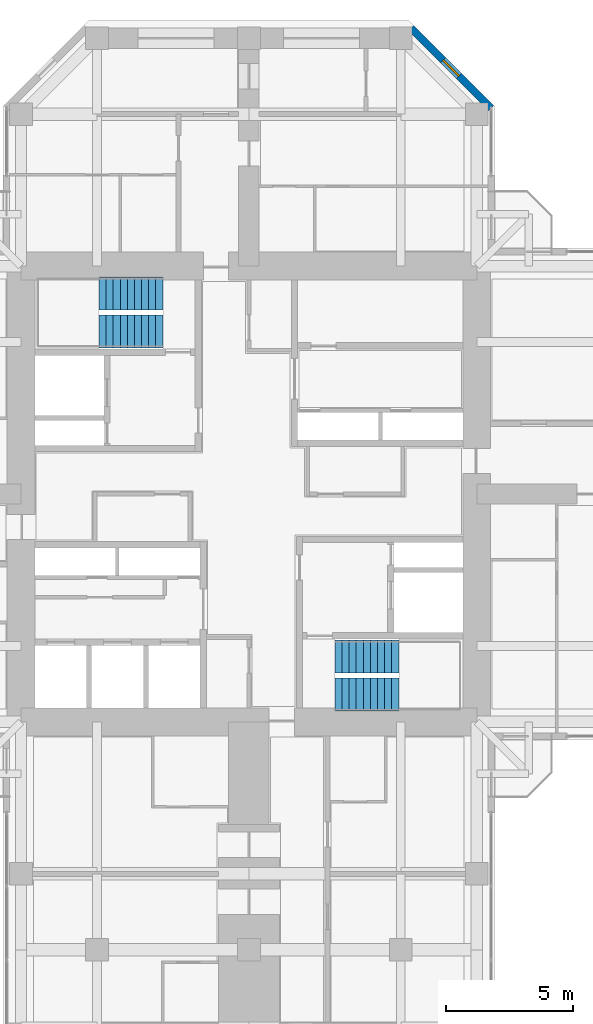
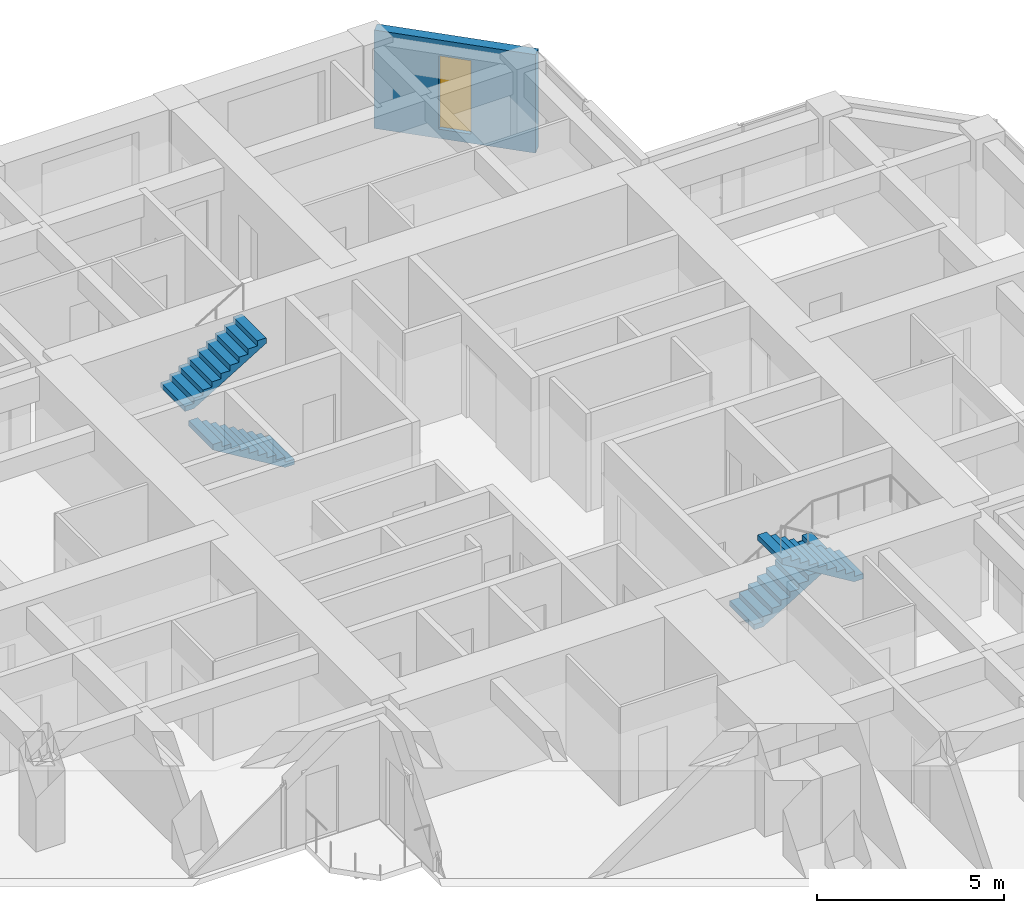
# One storey, part 13 of 14: 4 stair flights, 1 wall, 1 window, 1 opening, 2 elements without a shape of their own.
"""IFC4 building model written with IfcOpenShell, lengths in metres."""

from ifc_helpers import new_model, si_unit, direction, frame, frame_2d, origin, place, context, subcontext, project, spatial, polyline, rectangle, hollow_rectangle, outline, extrude, material, layer, layer_set, constituent, constituent_set, type_object, element, fill, aggregate, save


model = new_model("IFC4")

# Units and contexts
model_context = context("Model", 3, precision=1e-05, world=origin(), true_north=direction((0.0, 1.0)))
body_context = subcontext(model_context, "Body", "Model", "MODEL_VIEW")
ifc_project = project(units=[si_unit("LENGTHUNIT", "METRE"), si_unit("AREAUNIT", "SQUARE_METRE"), si_unit("VOLUMEUNIT", "CUBIC_METRE"), si_unit("PLANEANGLEUNIT", "RADIAN"), si_unit("MASSUNIT", "GRAM", prefix="KILO")], contexts=[model_context])

# Site, building, storey
site_placement = place(None, origin())
site = spatial("IfcSite", under=ifc_project, at=site_placement, CompositionType="ELEMENT")
building_placement = place(site_placement, origin())
building = spatial("IfcBuilding", under=site, at=building_placement, Name="Torre Cruceta", CompositionType="ELEMENT")
storey_placement = place(building_placement, frame((0.0, 0.0, 210.300048828125)))
storey = spatial("IfcBuildingStorey", under=building, at=storey_placement, Name="L53", CompositionType="ELEMENT", Elevation=210.300048828125)

# Wall, opening, window
ifc_material_1 = material(Name="Concrete G30 (fck 30 MPa)", Category="concrete")
ifc_layer = layer(ifc_material_1, 0.300048828125)
ifc_layer_set = layer_set([ifc_layer], Name="Concrete G30 (fck 30 MPa)")
wall_type = type_object("IfcWallType", Name="EXPOSED CONCRETE FACADE WALL 300", PredefinedType="SOLIDWALL", material=ifc_layer_set)
wall_placement = place(storey_placement, frame((9.570068359375, 15.236083984375, 0.0), z_axis=(0.0, 0.0, 1.0), x_axis=(-0.707134062067, 0.707079499254, 0.0)))
wall = element("IfcWall", 1, at=wall_placement, inside=storey, type_object=wall_type, Name="EW1 facade wall L53 N chamfer 06", PredefinedType="SOLIDWALL", context=body_context, shape_type="SweptSolid", body=[
    extrude(rectangle(XDim=4.474609375, YDim=0.300048828125, at=frame_2d((2.2373046875, 0.0))), origin(), (0.0, 0.0, 1.0), 3.219970703125),
])
opening_placement = place(wall_placement, frame((1.787109375, 0.0, 0.300048828125)))
opening = element("IfcOpeningElement", 2, at=opening_placement, cuts=wall, Name="Opening WN5", PredefinedType="OPENING", context=body_context, shape_type="SweptSolid", body=[
    extrude(rectangle(XDim=0.89990234375, YDim=2.39990234375, at=frame_2d((0.449951171875, 1.199951171875))), frame((0.0, 0.159912109375, 0.0), z_axis=(0.0, -1.0, 0.0), x_axis=(1.0, 0.0, 0.0)), (0.0, 0.0, 1.0), 0.320068359375),
])
ifc_material_2 = material(Name="Aluminium window frame", Category="aluminium")
ifc_constituent_1 = constituent(ifc_material_2, Name="Frame")
ifc_material_3 = material(Name="Laminated insulating glass unit, low-iron clear", Category="glass")
ifc_constituent_2 = constituent(ifc_material_3, Name="Glazing")
ifc_constituent_set = constituent_set(constituents=[ifc_constituent_1, ifc_constituent_2], Name="Aluminium window")
window_type = type_object("IfcWindowType", Name="CHAMFER SLOT WINDOW 900X2400", PartitioningType="SINGLE_PANEL", PredefinedType="WINDOW", material=ifc_constituent_set)
window_placement = place(opening_placement, origin())
window = element("IfcWindow", 3, at=window_placement, inside=storey, type_object=window_type, Name="WN5 L53 N 1", OverallHeight=2.39990234375, OverallWidth=0.89990234375, PartitioningType="SINGLE_PANEL", PredefinedType="WINDOW", context=body_context, shape_type="SweptSolid", body=[
    extrude(hollow_rectangle(XDim=0.89990234375, YDim=2.39990234375, WallThickness=0.06005859375, at=frame_2d((0.449951171875, 1.199951171875))), frame((0.0, 0.030029296875, 0.0), z_axis=(0.0, -1.0, 0.0), x_axis=(1.0, 0.0, 0.0)), (0.0, 0.0, 1.0), 0.06005859375),
    extrude(rectangle(XDim=0.77880859375, YDim=2.27880859375, at=frame_2d((0.449951171875, 1.199951171875))), frame((0.0, 0.030029296875, 0.0), z_axis=(0.0, -1.0, 0.0), x_axis=(1.0, 0.0, 0.0)), (0.0, 0.0, 1.0), 0.06005859375),
])
fill(opening, window)

# Stair, stair flights
ifc_material_4 = material(Name="Concrete G30 (fck 30 MPa)", Category="concrete")
stair_type = type_object("IfcStairType", Name="STAIR HALF-TURN 1300", PredefinedType="HALF_TURN_STAIR", material=ifc_material_4)
stair_1_placement = place(storey_placement, origin())
stair_1 = element("IfcStair", 4, at=stair_1_placement, inside=storey, type_object=stair_type, Name="Stair ST1 L53", PredefinedType="HALF_TURN_STAIR")
ifc_material_5 = material(Name="Concrete G30 (fck 30 MPa)", Category="concrete")
stair_flight_type = type_object("IfcStairFlightType", Name="STAIR FLIGHT 1300", PredefinedType="STRAIGHT", material=ifc_material_5)
stair_flight_1_placement = place(storey_placement, frame((-3.39990234375, 6.425048828125, 0.0), z_axis=(0.0, 0.0, 1.0), x_axis=(-1.0, 0.0, 0.0)))
stair_flight_1 = element("IfcStairFlight", 5, at=stair_flight_1_placement, type_object=stair_flight_type, Name="ST1 flight 1", NumberOfRisers=10, NumberOfTreads=9, PredefinedType="STRAIGHT", RiserHeight=0.17, TreadLength=0.28, context=body_context, shape_type="SweptSolid", body=[
    extrude(outline(polyline([(0.0, 0.0), (0.0, 0.169921875), (0.280029296875, 0.169921875), (0.280029296875, 0.340087890625), (0.56005859375, 0.340087890625), (0.56005859375, 0.510009765625), (0.840087890625, 0.510009765625), (0.840087890625, 0.679931640625), (1.1201171875, 0.679931640625), (1.1201171875, 0.85009765625), (1.39990234375, 0.85009765625), (1.39990234375, 1.02001953125), (1.679931640625, 1.02001953125), (1.679931640625, 1.18994140625), (1.9599609375, 1.18994140625), (1.9599609375, 1.360107421875), (2.239990234375, 1.360107421875), (2.239990234375, 1.530029296875), (2.52001953125, 1.530029296875), (2.52001953125, 1.699951171875), (2.52001953125, 1.354736328125), (0.288818359375, 0.0), (0.0, 0.0)])), frame((0.0, 0.64990234375, 0.0), z_axis=(0.0, -1.0, 0.0), x_axis=(1.0, 0.0, 0.0)), (0.0, 0.0, 1.0), 1.300048828125),
])
stair_flight_2_placement = place(storey_placement, frame((-5.919921875, 7.925048828125, 1.699951171875), z_axis=(0.0, 0.0, 1.0), x_axis=(1.0, 0.0, 0.0)))
stair_flight_2 = element("IfcStairFlight", 6, at=stair_flight_2_placement, type_object=stair_flight_type, Name="ST1 flight 2", NumberOfRisers=10, NumberOfTreads=9, PredefinedType="STRAIGHT", RiserHeight=0.17, TreadLength=0.28, context=body_context, shape_type="SweptSolid", body=[
    extrude(outline(polyline([(0.0, 0.0), (0.0, 0.169921875), (0.280029296875, 0.169921875), (0.280029296875, 0.340087890625), (0.56005859375, 0.340087890625), (0.56005859375, 0.510009765625), (0.840087890625, 0.510009765625), (0.840087890625, 0.679931640625), (1.1201171875, 0.679931640625), (1.1201171875, 0.85009765625), (1.39990234375, 0.85009765625), (1.39990234375, 1.02001953125), (1.679931640625, 1.02001953125), (1.679931640625, 1.18994140625), (1.9599609375, 1.18994140625), (1.9599609375, 1.360107421875), (2.239990234375, 1.360107421875), (2.239990234375, 1.530029296875), (2.52001953125, 1.530029296875), (2.52001953125, 1.699951171875), (2.52001953125, 1.354736328125), (0.288818359375, 0.0), (0.0, 0.0)])), frame((0.0, 0.64990234375, 0.0), z_axis=(0.0, -1.0, 0.0), x_axis=(1.0, 0.0, 0.0)), (0.0, 0.0, 1.0), 1.300048828125),
])
aggregate(stair_1, [stair_flight_1, stair_flight_2])

stair_2_placement = place(storey_placement, origin())
stair_2 = element("IfcStair", 7, at=stair_2_placement, inside=storey, type_object=stair_type, Name="Stair ST2 L53", PredefinedType="HALF_TURN_STAIR")
stair_flight_3_placement = place(storey_placement, frame((3.39990234375, -6.425048828125, 0.0), z_axis=(0.0, 0.0, 1.0), x_axis=(1.0, 0.0, 0.0)))
stair_flight_3 = element("IfcStairFlight", 8, at=stair_flight_3_placement, type_object=stair_flight_type, Name="ST2 flight 1", NumberOfRisers=10, NumberOfTreads=9, PredefinedType="STRAIGHT", RiserHeight=0.17, TreadLength=0.28, context=body_context, shape_type="SweptSolid", body=[
    extrude(outline(polyline([(0.0, 0.0), (0.0, 0.169921875), (0.280029296875, 0.169921875), (0.280029296875, 0.340087890625), (0.56005859375, 0.340087890625), (0.56005859375, 0.510009765625), (0.840087890625, 0.510009765625), (0.840087890625, 0.679931640625), (1.1201171875, 0.679931640625), (1.1201171875, 0.85009765625), (1.39990234375, 0.85009765625), (1.39990234375, 1.02001953125), (1.679931640625, 1.02001953125), (1.679931640625, 1.18994140625), (1.9599609375, 1.18994140625), (1.9599609375, 1.360107421875), (2.239990234375, 1.360107421875), (2.239990234375, 1.530029296875), (2.52001953125, 1.530029296875), (2.52001953125, 1.699951171875), (2.52001953125, 1.354736328125), (0.288818359375, 0.0), (0.0, 0.0)])), frame((0.0, 0.64990234375, 0.0), z_axis=(0.0, -1.0, 0.0), x_axis=(1.0, 0.0, 0.0)), (0.0, 0.0, 1.0), 1.300048828125),
])
stair_flight_4_placement = place(storey_placement, frame((5.919921875, -7.925048828125, 1.699951171875), z_axis=(0.0, 0.0, 1.0), x_axis=(-1.0, 0.0, 0.0)))
stair_flight_4 = element("IfcStairFlight", 9, at=stair_flight_4_placement, type_object=stair_flight_type, Name="ST2 flight 2", NumberOfRisers=10, NumberOfTreads=9, PredefinedType="STRAIGHT", RiserHeight=0.17, TreadLength=0.28, context=body_context, shape_type="SweptSolid", body=[
    extrude(outline(polyline([(0.0, 0.0), (0.0, 0.169921875), (0.280029296875, 0.169921875), (0.280029296875, 0.340087890625), (0.56005859375, 0.340087890625), (0.56005859375, 0.510009765625), (0.840087890625, 0.510009765625), (0.840087890625, 0.679931640625), (1.1201171875, 0.679931640625), (1.1201171875, 0.85009765625), (1.39990234375, 0.85009765625), (1.39990234375, 1.02001953125), (1.679931640625, 1.02001953125), (1.679931640625, 1.18994140625), (1.9599609375, 1.18994140625), (1.9599609375, 1.360107421875), (2.239990234375, 1.360107421875), (2.239990234375, 1.530029296875), (2.52001953125, 1.530029296875), (2.52001953125, 1.699951171875), (2.52001953125, 1.354736328125), (0.288818359375, 0.0), (0.0, 0.0)])), frame((0.0, 0.64990234375, 0.0), z_axis=(0.0, -1.0, 0.0), x_axis=(1.0, 0.0, 0.0)), (0.0, 0.0, 1.0), 1.300048828125),
])
aggregate(stair_2, [stair_flight_3, stair_flight_4])

save(model, "model.ifc")
